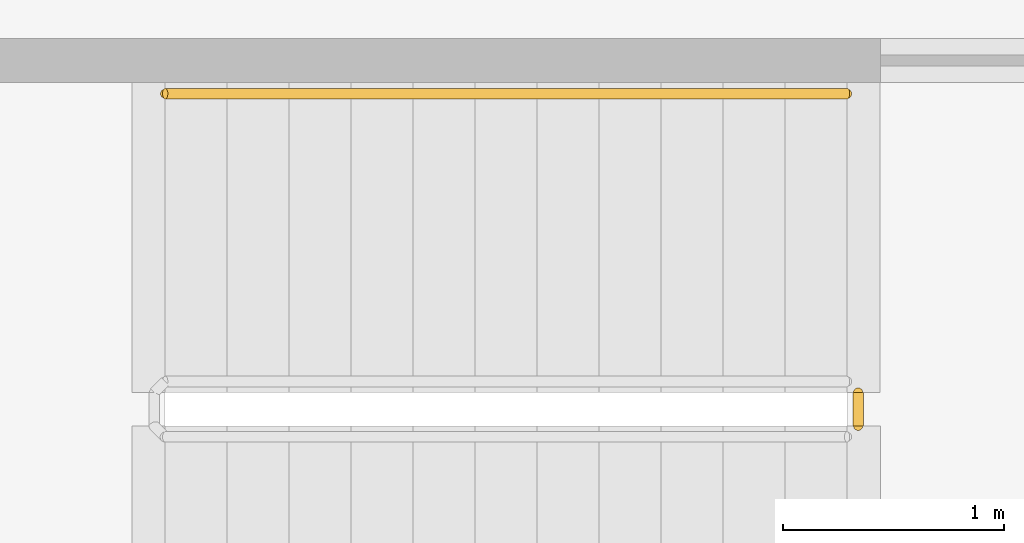
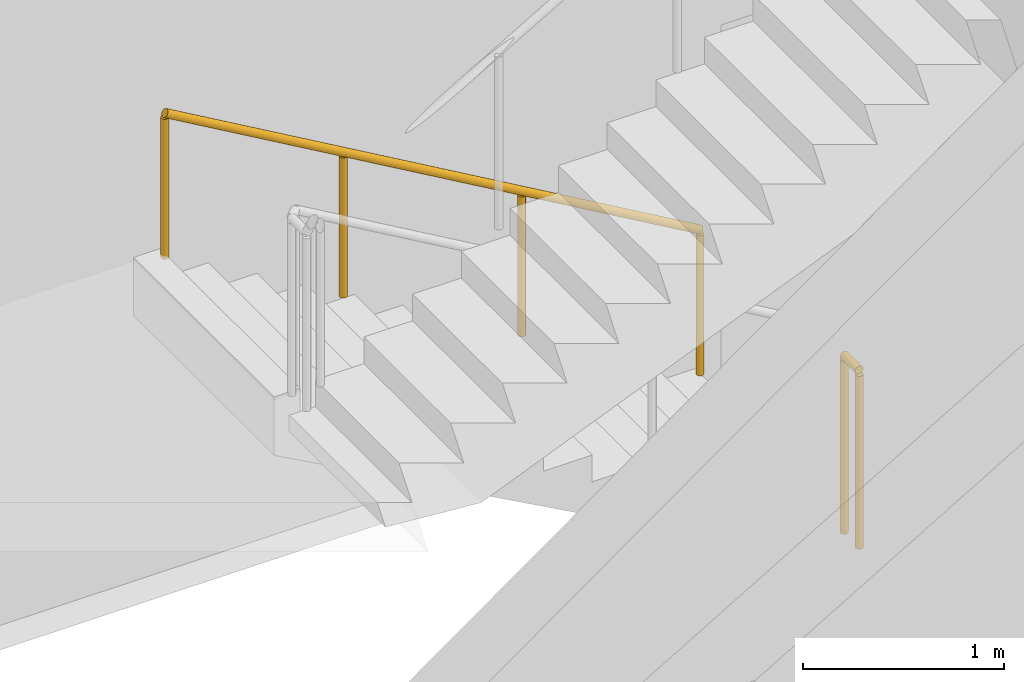
# One storey, part 18 of 21: 2 railings.
"""IFC4 building model written with IfcOpenShell, lengths in metres."""

from ifc_helpers import new_model, si_unit, direction, frame, origin, origin_2d, place, context, subcontext, project, spatial, circle, extrude, material, type_object, element, save


model = new_model("IFC4")

# Units and contexts
model_context = context("Model", 3, precision=1e-05, world=origin(), true_north=direction((0.0, 1.0)))
body_context = subcontext(model_context, "Body", "Model", "MODEL_VIEW")
ifc_project = project(units=[si_unit("LENGTHUNIT", "METRE"), si_unit("AREAUNIT", "SQUARE_METRE"), si_unit("VOLUMEUNIT", "CUBIC_METRE"), si_unit("PLANEANGLEUNIT", "RADIAN"), si_unit("MASSUNIT", "GRAM", prefix="KILO")], contexts=[model_context])

# Site, building, storey
site_placement = place(None, origin())
site = spatial("IfcSite", under=ifc_project, at=site_placement, CompositionType="ELEMENT")
building_placement = place(site_placement, origin())
building = spatial("IfcBuilding", under=site, at=building_placement, Name="Kheshtan School and Residences Tower", CompositionType="ELEMENT")
storey_placement = place(building_placement, frame((0.0, 0.0, 227.89990234375)))
storey = spatial("IfcBuildingStorey", under=building, at=storey_placement, Name="L53", CompositionType="ELEMENT", Elevation=227.89990234375)

# Railings
ifc_material_1 = material(Name="Stainless steel balustrade", Category="steel")
railing_type_1 = type_object("IfcRailingType", Name="Stair guard 1100", PredefinedType="GUARDRAIL", material=ifc_material_1)
railing_1_placement = place(storey_placement, frame((78.4599609375, 24.39990234375, 0.0)))
element("IfcRailing", 1, at=railing_1_placement, inside=storey, type_object=railing_type_1, Name="L53 ST5 stair guard 2", PredefinedType="GUARDRAIL", context=body_context, shape_type="SweptSolid", body=[
    extrude(circle(Radius=0.02392578125, at=origin_2d()), frame((0.0, 0.0, 1.076171875), z_axis=(0.0, -1.0, 0.0), x_axis=(1.0, 0.0, 0.0)), (0.0, 0.0, 1.0), 0.14990234375),
    extrude(circle(Radius=0.02099609375, at=origin_2d()), origin(), (0.0, 0.0, 1.0), 1.052001953125),
    extrude(circle(Radius=0.02099609375, at=origin_2d()), frame((0.0, -0.14990234375, 0.0)), (0.0, 0.0, 1.0), 1.052001953125),
])
ifc_material_2 = material(Name="Stainless steel handrail", Category="steel")
railing_type_2 = type_object("IfcRailingType", Name="Stair handrail 900", PredefinedType="HANDRAIL", material=ifc_material_2)
railing_2_placement = place(storey_placement, frame((78.409912109375, 25.75, 0.16259765625)))
element("IfcRailing", 2, at=railing_2_placement, inside=storey, type_object=railing_type_2, Name="L53 ST5 stair handrail 1", PredefinedType="HANDRAIL", context=body_context, shape_type="SweptSolid", body=[
    extrude(circle(Radius=0.02392578125, at=origin_2d()), frame((0.0, 0.0, 0.8759765625), z_axis=(-0.864873446163, 0.0, 0.501989962173), x_axis=(0.0, -1.0, 0.0)), (0.0, 0.0, 1.0), 3.56103515625),
    extrude(circle(Radius=0.02099609375, at=origin_2d()), origin(), (0.0, 0.0, 1.0), 0.851806640625),
    extrude(circle(Radius=0.02099609375, at=origin_2d()), frame((-1.026611328125, 0.0, 0.595947265625)), (0.0, 0.0, 1.0), 0.851806640625),
    extrude(circle(Radius=0.02099609375, at=origin_2d()), frame((-2.05322265625, 0.0, 1.191650390625)), (0.0, 0.0, 1.0), 0.851806640625),
    extrude(circle(Radius=0.02099609375, at=origin_2d()), frame((-3.079833984375, 0.0, 1.78759765625)), (0.0, 0.0, 1.0), 0.851806640625),
])

save(model, "model.ifc")
